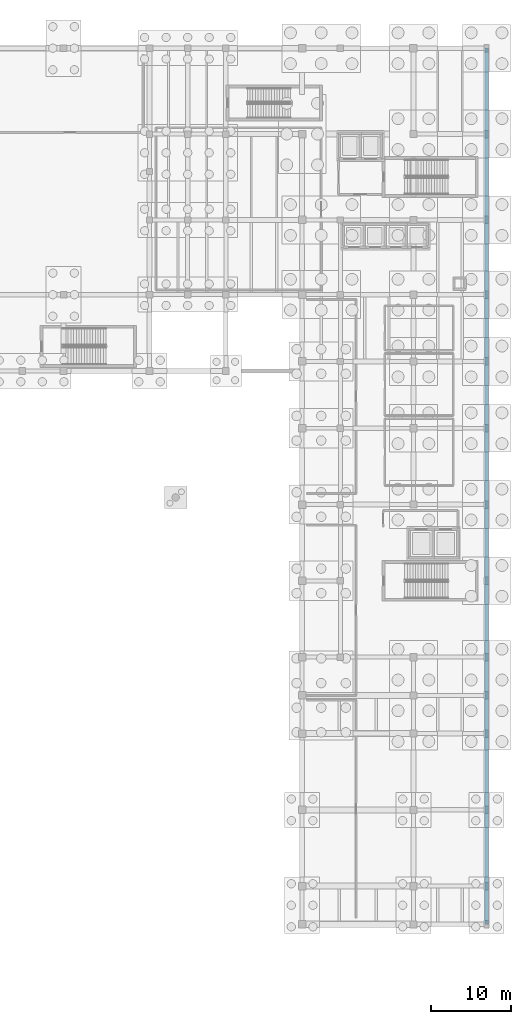
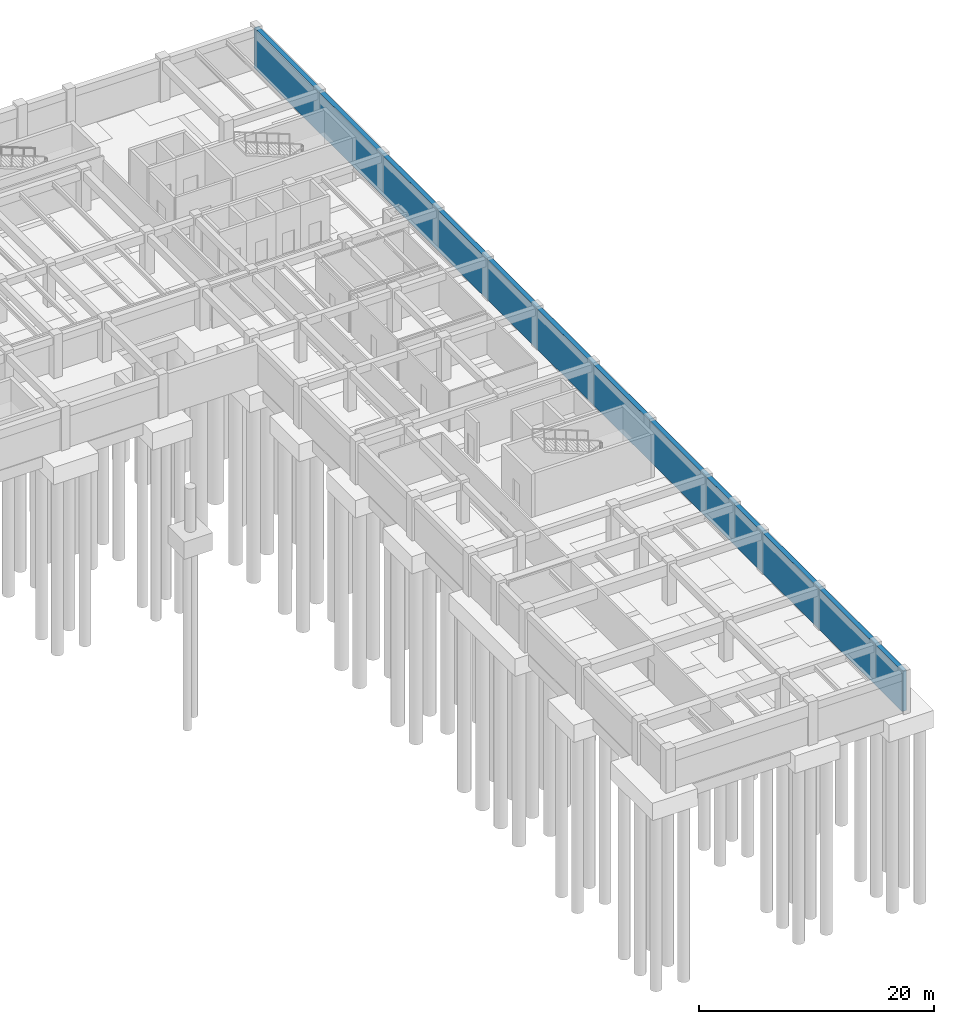
# One storey, part 20 of 33: 1 wall.
"""IFC4 building model written with IfcOpenShell, lengths in metres."""

import ifcopenshell
import ifcopenshell.guid

model = None  # the IFC model being written
_history = None  # IfcOwnerHistory: only IFC2X3 demands one
_inside = {}  # id of a spatial element -> (the spatial element, [elements in it])
_under = {}  # id of a project, library or spatial element -> (it, [spatial elements below it])
_declared = {}  # id of a project -> (the project, [libraries it declares])
_typed = {}  # id of a type object -> (the type object, [elements of that type])
_made_of = {}  # id of a material, layer set ... -> (it, [elements and type objects made of it])


def new_model(schema):
    """Start an empty IFC model of exactly this schema.

    Asked for "IFC4X3", IfcOpenShell would pick the latest addendum, in which some entities
    have other attributes; the version numbers below select the first issue.
    IFC2X3 requires an IfcOwnerHistory on every rooted entity: one is made here for all.
    """
    global model, _history
    if schema == "IFC4X3":
        model = ifcopenshell.file(schema_version=(4, 3, 0, 0))
    else:
        model = ifcopenshell.file(schema=schema)
    _inside.clear()
    _under.clear()
    _declared.clear()
    _typed.clear()
    _made_of.clear()
    _history = None
    if model.schema == "IFC2X3":
        org = make("IfcOrganization", Name="unknown")
        user = make(
            "IfcPersonAndOrganization",
            ThePerson=make("IfcPerson", FamilyName="unknown"),
            TheOrganization=org,
        )
        app = make(
            "IfcApplication",
            ApplicationDeveloper=org,
            Version="unknown",
            ApplicationFullName="unknown",
            ApplicationIdentifier="unknown",
        )
        _history = make(
            "IfcOwnerHistory",
            OwningUser=user,
            OwningApplication=app,
            ChangeAction="ADDED",
            CreationDate=0,
        )
    return model


def make(cls, **values):
    """One entity of the class cls with the attributes given. An attribute that is None is left unset."""
    return model.create_entity(
        cls, **{name: value for name, value in values.items() if value is not None}
    )


def rooted(cls, **values):
    """An entity with a GlobalId (a new one), such as an element, a storey or a relation."""
    return make(cls, GlobalId=ifcopenshell.guid.new(), OwnerHistory=_history, **values)


def si_unit(unit_type, name, prefix=None):
    """IfcSIUnit, for example si_unit("LENGTHUNIT", "METRE", prefix="MILLI")."""
    return make("IfcSIUnit", UnitType=unit_type, Prefix=prefix, Name=name)


def assignment(units):
    """IfcUnitAssignment: the units of a project."""
    return None if units is None else make("IfcUnitAssignment", Units=units)


def point(xyz):
    """IfcCartesianPoint."""
    return None if xyz is None else make("IfcCartesianPoint", Coordinates=xyz)


def direction(xyz):
    """IfcDirection."""
    return None if xyz is None else make("IfcDirection", DirectionRatios=xyz)


def frame(location, z_axis=None, x_axis=None):
    """IfcAxis2Placement3D, a coordinate frame: its origin and axes. An axis left out is left unset."""
    return make(
        "IfcAxis2Placement3D",
        Location=point(location),
        Axis=direction(z_axis),
        RefDirection=direction(x_axis),
    )


def frame_2d(location, x_axis=None):
    """IfcAxis2Placement2D, a coordinate frame in the plane: its origin and x axis."""
    return make(
        "IfcAxis2Placement2D", Location=point(location), RefDirection=direction(x_axis)
    )


def origin():
    """The frame at (0, 0, 0) with its axes left unset."""
    return frame((0.0, 0.0, 0.0))


def place(relative_to, where):
    """IfcLocalPlacement: puts the frame where relative to a parent placement (None: the world)."""
    return make(
        "IfcLocalPlacement", PlacementRelTo=relative_to, RelativePlacement=where
    )


def context(
    kind, dimensions, precision=None, world=None, true_north=None, identifier=None
):
    """IfcGeometricRepresentationContext, for example the 3D "Model" context."""
    return make(
        "IfcGeometricRepresentationContext",
        ContextIdentifier=identifier,
        ContextType=kind,
        CoordinateSpaceDimension=dimensions,
        Precision=precision,
        WorldCoordinateSystem=world,
        TrueNorth=true_north,
    )


def subcontext(parent, identifier, kind, view, scale=None):
    """IfcGeometricRepresentationSubContext, for example "Body" below "Model"."""
    return make(
        "IfcGeometricRepresentationSubContext",
        ContextIdentifier=identifier,
        ContextType=kind,
        ParentContext=parent,
        TargetScale=scale,
        TargetView=view,
    )


def project(units=None, contexts=None):
    """IfcProject with its units and contexts."""
    return rooted(
        "IfcProject",
        Name="project",
        RepresentationContexts=contexts,
        UnitsInContext=assignment(units),
    )


def spatial(cls, under=None, at=None, **own):
    """A site, building, storey or space (cls), placed at a placement, below another one or the project."""
    s = rooted(cls, ObjectPlacement=at, **own)
    if under is not None:
        _under.setdefault(under.id(), (under, []))[1].append(s)
    return s


def profile(cls, at=None, kind="AREA", **sizes):
    """A parametric profile (cls). Its sizes go by their IFC names, for example OverallWidth=200.0."""
    return make(cls, ProfileType=kind, Position=at, **sizes)


def rectangle(**sizes):
    """IfcRectangleProfileDef."""
    return profile("IfcRectangleProfileDef", **sizes)


def extrude(swept, where, along, depth):
    """IfcExtrudedAreaSolid: the profile swept, set in the frame where, extruded along a direction by depth."""
    return make(
        "IfcExtrudedAreaSolid",
        SweptArea=swept,
        Position=where,
        ExtrudedDirection=direction(along),
        Depth=depth,
    )


def shape(context_of_items, identifier, shape_type, items):
    """IfcShapeRepresentation: the items that make up one representation, for example the "Body"."""
    return make(
        "IfcShapeRepresentation",
        ContextOfItems=context_of_items,
        RepresentationIdentifier=identifier,
        RepresentationType=shape_type,
        Items=items,
    )


def material(Name=None, Category=None):
    """IfcMaterial."""
    return make("IfcMaterial", Name=Name, Category=Category)


def layer(
    of_material, thickness, ventilated=None, Name=None, Category=None, Priority=None
):
    """IfcMaterialLayer: one layer of a wall or slab, of a material (None: an air gap)."""
    return make(
        "IfcMaterialLayer",
        Material=of_material,
        LayerThickness=thickness,
        IsVentilated=ventilated,
        Name=Name,
        Category=Category,
        Priority=Priority,
    )


def layer_set(layers, Name=None):
    """IfcMaterialLayerSet."""
    return make("IfcMaterialLayerSet", MaterialLayers=layers, LayerSetName=Name)


def made_of(thing, what):
    """Note that an element or type object is made of a material, layer set ...; save() writes the relation."""
    if what is not None:
        _made_of.setdefault(what.id(), (what, []))[1].append(thing)
    return thing


def type_object(cls, material=None, **own):
    """A type object (cls), such as IfcWallType, which elements share."""
    return made_of(rooted(cls, **own), material)


def element(
    cls,
    number,
    at=None,
    inside=None,
    cuts=None,
    type_object=None,
    material=None,
    context=None,
    identifier="Body",
    shape_type=None,
    held_by="IfcProductDefinitionShape",
    body=None,
    shapes=None,
    **own,
):
    """One element of the class cls, such as IfcWall. Its Tag is "e" and its number.

    at: its placement. inside: the storey or other place that contains it. cuts: it is an
    opening in that element (IfcRelVoidsElement). A single representation is given by context,
    identifier, shape_type and body (its items); several are given by shapes. held_by: the class
    of the entity that holds the representations. save() writes the other relations.
    """
    e = rooted(cls, Tag="e%d" % number, ObjectPlacement=at, **own)
    if body is not None:
        shapes = [shape(context, identifier, shape_type, body)]
    if shapes is not None:
        e.Representation = make(held_by, Representations=shapes)
    if inside is not None:
        _inside.setdefault(inside.id(), (inside, []))[1].append(e)
    if cuts is not None:
        rooted(
            "IfcRelVoidsElement", RelatingBuildingElement=cuts, RelatedOpeningElement=e
        )
    if type_object is not None:
        _typed.setdefault(type_object.id(), (type_object, []))[1].append(e)
    return made_of(e, material)


def aggregate(whole, parts):
    """IfcRelAggregates: a whole, such as a stair, and the parts it consists of."""
    return rooted("IfcRelAggregates", RelatingObject=whole, RelatedObjects=parts)


def save(model, path):
    """Write the relations noted so far, then the file.

    IfcRelAggregates (storeys below a building ...), IfcRelContainedInSpatialStructure (elements
    in a storey), IfcRelDefinesByType, IfcRelAssociatesMaterial and IfcRelDeclares: one each for
    every whole, place, type object, material and project.
    """
    for whole, parts in _under.values():
        aggregate(whole, parts)
    for where, things in _inside.values():
        rooted(
            "IfcRelContainedInSpatialStructure",
            RelatedElements=things,
            RelatingStructure=where,
        )
    for kind, things in _typed.values():
        rooted("IfcRelDefinesByType", RelatedObjects=things, RelatingType=kind)
    for what, things in _made_of.values():
        rooted("IfcRelAssociatesMaterial", RelatedObjects=things, RelatingMaterial=what)
    for by, libraries in _declared.values():
        rooted("IfcRelDeclares", RelatingContext=by, RelatedDefinitions=libraries)
    model.write(path)


model = new_model("IFC4")

# Units and contexts
model_context = context("Model", 3, precision=1e-05, world=origin(), true_north=direction((0.0, 1.0)))
body_context = subcontext(model_context, "Body", "Model", "MODEL_VIEW")
ifc_project = project(units=[si_unit("LENGTHUNIT", "METRE"), si_unit("AREAUNIT", "SQUARE_METRE"), si_unit("VOLUMEUNIT", "CUBIC_METRE"), si_unit("PLANEANGLEUNIT", "RADIAN"), si_unit("MASSUNIT", "GRAM", prefix="KILO")], contexts=[model_context])

# Site, building, storey
site_placement = place(None, origin())
site = spatial("IfcSite", under=ifc_project, at=site_placement, CompositionType="ELEMENT")
building_placement = place(site_placement, origin())
building = spatial("IfcBuilding", under=site, at=building_placement, Name="Veldera Park Congress Hotel", CompositionType="ELEMENT")
storey_placement = place(building_placement, frame((0.0, 0.0, -4.5)))
storey = spatial("IfcBuildingStorey", under=building, at=storey_placement, Name="B1", CompositionType="ELEMENT", Elevation=-4.5)

# Wall
ifc_material = material(Name="Concrete f'c 40 MPa (5,800 psi)", Category="concrete")
ifc_layer = layer(ifc_material, 0.449951171875)
ifc_layer_set = layer_set([ifc_layer], Name="Concrete f'c 40 MPa (5,800 psi)")
wall_type = type_object("IfcWallType", Name="SW-RET450", PredefinedType="USERDEFINED", material=ifc_layer_set)
wall_placement = place(storey_placement, frame((84.0, -52.199951171875, 0.0), z_axis=(0.0, 0.0, 1.0), x_axis=(0.0, 1.0, 0.0)))
element("IfcWall", 1, at=wall_placement, inside=storey, type_object=wall_type, Name="Basement Retaining Wall 8", ObjectType="RETAININGWALL", PredefinedType="USERDEFINED", context=body_context, shape_type="SweptSolid", body=[
    extrude(rectangle(XDim=110.199951171875, YDim=0.449951171875, at=frame_2d((55.10009765625, 0.0))), origin(), (0.0, 0.0, 1.0), 4.199951171875),
])

save(model, "model.ifc")
